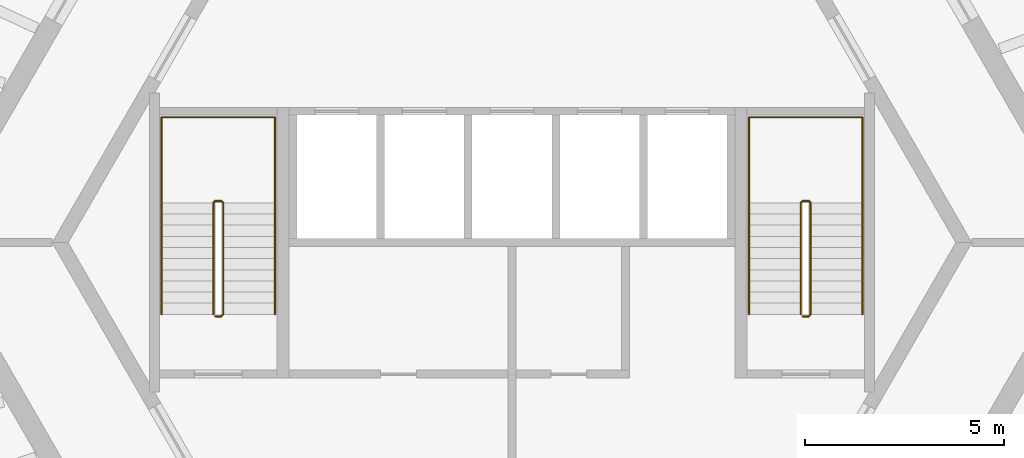
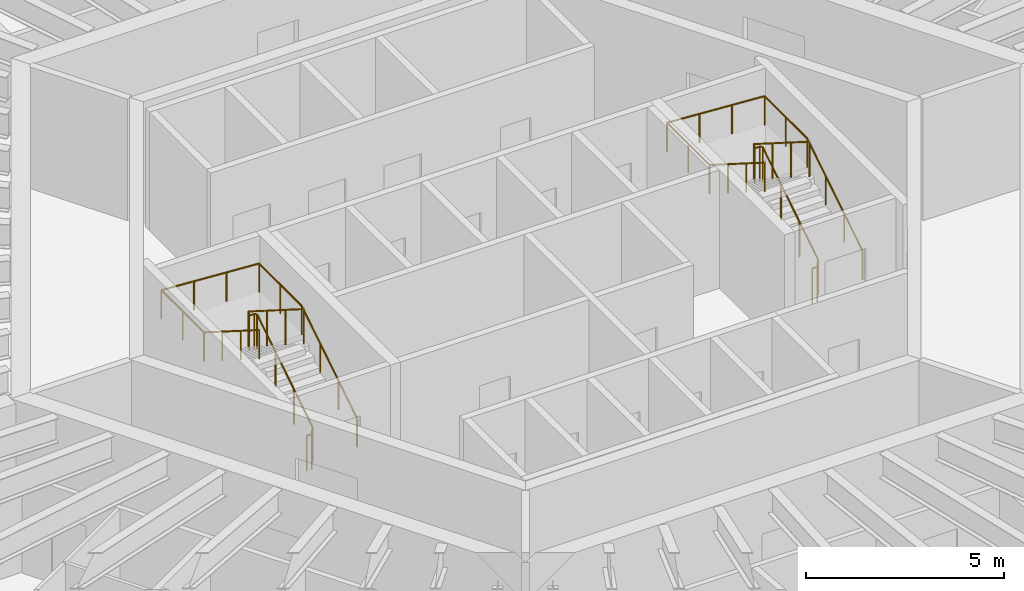
# One storey, part 10 of 10: 4 railings.
"""IFC4 building model written with IfcOpenShell, lengths in metres."""

from ifc_helpers import new_model, si_unit, direction, frame, origin, origin_2d, place, context, subcontext, project, spatial, circle, extrude, material, type_object, element, save


model = new_model("IFC4")

# Units and contexts
model_context = context("Model", 3, precision=1e-05, world=origin(), true_north=direction((0.0, 1.0)))
body_context = subcontext(model_context, "Body", "Model", "MODEL_VIEW")
ifc_project = project(units=[si_unit("LENGTHUNIT", "METRE"), si_unit("AREAUNIT", "SQUARE_METRE"), si_unit("VOLUMEUNIT", "CUBIC_METRE"), si_unit("PLANEANGLEUNIT", "RADIAN"), si_unit("MASSUNIT", "GRAM", prefix="KILO")], contexts=[model_context])

# Site, building, storey
site_placement = place(None, origin())
site = spatial("IfcSite", under=ifc_project, at=site_placement, CompositionType="ELEMENT")
building_placement = place(site_placement, origin())
building = spatial("IfcBuilding", under=site, at=building_placement, Name="Tarnside Tower", CompositionType="ELEMENT")
storey_placement = place(building_placement, frame((0.0, 0.0, 234.60009765625)))
storey = spatial("IfcBuildingStorey", under=building, at=storey_placement, Name="L56", CompositionType="ELEMENT", Elevation=234.60009765625)

# Railings
ifc_material = material(Name="Stainless steel", Category="steel")
railing_type_1 = type_object("IfcRailingType", Name="Stair guard 1100", PredefinedType="GUARDRAIL", material=ifc_material)
railing_1_placement = place(storey_placement, frame((7.300048828125, -1.85009765625, 0.0)))
element("IfcRailing", 1, at=railing_1_placement, inside=storey, type_object=railing_type_1, Name="L56 ST1 stair guard 1", PredefinedType="GUARDRAIL", context=body_context, shape_type="SweptSolid", body=[
    extrude(circle(Radius=0.02392578125, at=origin_2d()), frame((0.0, 0.0, 1.076171875), z_axis=(1.0, 0.0, 0.0), x_axis=(0.0, 1.0, 0.0)), (0.0, 0.0, 1.0), 0.14990234375),
    extrude(circle(Radius=0.02392578125, at=origin_2d()), frame((0.14990234375, 0.0, 1.076171875), z_axis=(0.262233686654, 0.262233686654, 0.928691007369), x_axis=(-0.707106781187, 0.707106781187, 0.0)), (0.0, 0.0, 1.0), 0.19091796875),
    extrude(circle(Radius=0.02392578125, at=origin_2d()), frame((0.199951171875, 0.050048828125, 1.25341796875), z_axis=(0.0, 0.844908973607, 0.534910110503), x_axis=(-1.0, 0.0, 0.0)), (0.0, 0.0, 1.0), 3.31396484375),
    extrude(circle(Radius=0.02392578125, at=origin_2d()), frame((0.199951171875, 2.85009765625, 3.02587890625), z_axis=(-0.707106781187, 0.707106781187, 0.0), x_axis=(-0.707106781187, -0.707106781187, 0.0)), (0.0, 0.0, 1.0), 0.07080078125),
    extrude(circle(Radius=0.02392578125, at=origin_2d()), frame((0.14990234375, 2.900146484375, 3.02587890625), z_axis=(-1.0, 0.0, 0.0), x_axis=(0.0, -1.0, 0.0)), (0.0, 0.0, 1.0), 0.14990234375),
    extrude(circle(Radius=0.02392578125, at=origin_2d()), frame((0.0, 2.900146484375, 3.02587890625), z_axis=(-0.262233686654, -0.262233686654, 0.928691007369), x_axis=(0.707106781187, -0.707106781187, 0.0)), (0.0, 0.0, 1.0), 0.19091796875),
    extrude(circle(Radius=0.02392578125, at=origin_2d()), frame((-0.050048828125, 2.85009765625, 3.203125), z_axis=(0.0, -0.844908973607, 0.534910110503), x_axis=(1.0, 0.0, 0.0)), (0.0, 0.0, 1.0), 3.31396484375),
    extrude(circle(Radius=0.02099609375, at=origin_2d()), origin(), (0.0, 0.0, 1.0), 1.052001953125),
    extrude(circle(Radius=0.02099609375, at=origin_2d()), frame((0.14990234375, 0.0, 0.0)), (0.0, 0.0, 1.0), 1.052001953125),
    extrude(circle(Radius=0.02099609375, at=origin_2d()), frame((0.199951171875, 0.050048828125, 0.17724609375)), (0.0, 0.0, 1.0), 1.052001953125),
    extrude(circle(Radius=0.02099609375, at=origin_2d()), frame((0.199951171875, 0.9833984375, 0.76806640625)), (0.0, 0.0, 1.0), 1.052001953125),
    extrude(circle(Radius=0.02099609375, at=origin_2d()), frame((0.199951171875, 1.916748046875, 1.359130859375)), (0.0, 0.0, 1.0), 1.052001953125),
    extrude(circle(Radius=0.02099609375, at=origin_2d()), frame((0.199951171875, 2.85009765625, 1.949951171875)), (0.0, 0.0, 1.0), 1.052001953125),
    extrude(circle(Radius=0.02099609375, at=origin_2d()), frame((0.14990234375, 2.900146484375, 1.949951171875)), (0.0, 0.0, 1.0), 1.052001953125),
    extrude(circle(Radius=0.02099609375, at=origin_2d()), frame((0.0, 2.900146484375, 1.949951171875)), (0.0, 0.0, 1.0), 1.052001953125),
    extrude(circle(Radius=0.02099609375, at=origin_2d()), frame((-0.050048828125, 2.85009765625, 2.127197265625)), (0.0, 0.0, 1.0), 1.052001953125),
    extrude(circle(Radius=0.02099609375, at=origin_2d()), frame((-0.050048828125, 1.916748046875, 2.718017578125)), (0.0, 0.0, 1.0), 1.052001953125),
    extrude(circle(Radius=0.02099609375, at=origin_2d()), frame((-0.050048828125, 0.9833984375, 3.30908203125)), (0.0, 0.0, 1.0), 1.052001953125),
    extrude(circle(Radius=0.02099609375, at=origin_2d()), frame((-0.050048828125, 0.050048828125, 3.89990234375)), (0.0, 0.0, 1.0), 1.052001953125),
])
railing_2_placement = place(storey_placement, frame((-7.449951171875, -1.85009765625, 0.0)))
element("IfcRailing", 2, at=railing_2_placement, inside=storey, type_object=railing_type_1, Name="L56 ST2 stair guard 1", PredefinedType="GUARDRAIL", context=body_context, shape_type="SweptSolid", body=[
    extrude(circle(Radius=0.02392578125, at=origin_2d()), frame((0.0, 0.0, 1.076171875), z_axis=(1.0, 0.0, 0.0), x_axis=(0.0, 1.0, 0.0)), (0.0, 0.0, 1.0), 0.14990234375),
    extrude(circle(Radius=0.02392578125, at=origin_2d()), frame((0.14990234375, 0.0, 1.076171875), z_axis=(0.262233686654, 0.262233686654, 0.928691007369), x_axis=(-0.707106781187, 0.707106781187, 0.0)), (0.0, 0.0, 1.0), 0.19091796875),
    extrude(circle(Radius=0.02392578125, at=origin_2d()), frame((0.199951171875, 0.050048828125, 1.25341796875), z_axis=(0.0, 0.844908973607, 0.534910110503), x_axis=(-1.0, 0.0, 0.0)), (0.0, 0.0, 1.0), 3.31396484375),
    extrude(circle(Radius=0.02392578125, at=origin_2d()), frame((0.199951171875, 2.85009765625, 3.02587890625), z_axis=(-0.707106781187, 0.707106781187, 0.0), x_axis=(-0.707106781187, -0.707106781187, 0.0)), (0.0, 0.0, 1.0), 0.07080078125),
    extrude(circle(Radius=0.02392578125, at=origin_2d()), frame((0.14990234375, 2.900146484375, 3.02587890625), z_axis=(-1.0, 0.0, 0.0), x_axis=(0.0, -1.0, 0.0)), (0.0, 0.0, 1.0), 0.14990234375),
    extrude(circle(Radius=0.02392578125, at=origin_2d()), frame((0.0, 2.900146484375, 3.02587890625), z_axis=(-0.262233686654, -0.262233686654, 0.928691007369), x_axis=(0.707106781187, -0.707106781187, 0.0)), (0.0, 0.0, 1.0), 0.19091796875),
    extrude(circle(Radius=0.02392578125, at=origin_2d()), frame((-0.050048828125, 2.85009765625, 3.203125), z_axis=(0.0, -0.844908973607, 0.534910110503), x_axis=(1.0, 0.0, 0.0)), (0.0, 0.0, 1.0), 3.31396484375),
    extrude(circle(Radius=0.02099609375, at=origin_2d()), origin(), (0.0, 0.0, 1.0), 1.052001953125),
    extrude(circle(Radius=0.02099609375, at=origin_2d()), frame((0.14990234375, 0.0, 0.0)), (0.0, 0.0, 1.0), 1.052001953125),
    extrude(circle(Radius=0.02099609375, at=origin_2d()), frame((0.199951171875, 0.050048828125, 0.17724609375)), (0.0, 0.0, 1.0), 1.052001953125),
    extrude(circle(Radius=0.02099609375, at=origin_2d()), frame((0.199951171875, 0.9833984375, 0.76806640625)), (0.0, 0.0, 1.0), 1.052001953125),
    extrude(circle(Radius=0.02099609375, at=origin_2d()), frame((0.199951171875, 1.916748046875, 1.359130859375)), (0.0, 0.0, 1.0), 1.052001953125),
    extrude(circle(Radius=0.02099609375, at=origin_2d()), frame((0.199951171875, 2.85009765625, 1.949951171875)), (0.0, 0.0, 1.0), 1.052001953125),
    extrude(circle(Radius=0.02099609375, at=origin_2d()), frame((0.14990234375, 2.900146484375, 1.949951171875)), (0.0, 0.0, 1.0), 1.052001953125),
    extrude(circle(Radius=0.02099609375, at=origin_2d()), frame((0.0, 2.900146484375, 1.949951171875)), (0.0, 0.0, 1.0), 1.052001953125),
    extrude(circle(Radius=0.02099609375, at=origin_2d()), frame((-0.050048828125, 2.85009765625, 2.127197265625)), (0.0, 0.0, 1.0), 1.052001953125),
    extrude(circle(Radius=0.02099609375, at=origin_2d()), frame((-0.050048828125, 1.916748046875, 2.718017578125)), (0.0, 0.0, 1.0), 1.052001953125),
    extrude(circle(Radius=0.02099609375, at=origin_2d()), frame((-0.050048828125, 0.9833984375, 3.30908203125)), (0.0, 0.0, 1.0), 1.052001953125),
    extrude(circle(Radius=0.02099609375, at=origin_2d()), frame((-0.050048828125, 0.050048828125, 3.89990234375)), (0.0, 0.0, 1.0), 1.052001953125),
])
railing_type_2 = type_object("IfcRailingType", Name="Stair handrail 900", PredefinedType="HANDRAIL", material=ifc_material)
railing_3_placement = place(storey_placement, frame((8.800048828125, -1.800048828125, 0.17724609375)))
element("IfcRailing", 3, at=railing_3_placement, inside=storey, type_object=railing_type_2, Name="L56 ST1 stair handrail 1", PredefinedType="HANDRAIL", context=body_context, shape_type="SweptSolid", body=[
    extrude(circle(Radius=0.02392578125, at=origin_2d()), frame((0.0, 0.0, 0.8857421875), z_axis=(0.0, 0.844908973607, 0.534910110503), x_axis=(-1.0, 0.0, 0.0)), (0.0, 0.0, 1.0), 3.31396484375),
    extrude(circle(Radius=0.02392578125, at=origin_2d()), frame((0.0, 2.800048828125, 2.65869140625), z_axis=(0.0, 1.0, 0.0), x_axis=(-1.0, 0.0, 0.0)), (0.0, 0.0, 1.0), 2.14990234375),
    extrude(circle(Radius=0.02392578125, at=origin_2d()), frame((0.0, 4.949951171875, 2.65869140625), z_axis=(-0.998071825391, 0.0, 0.06206956872), x_axis=(0.0, -1.0, 0.0)), (0.0, 0.0, 1.0), 2.855712890625),
    extrude(circle(Radius=0.02392578125, at=origin_2d()), frame((-2.85009765625, 4.949951171875, 2.8359375), z_axis=(0.0, -1.0, 0.0), x_axis=(1.0, 0.0, 0.0)), (0.0, 0.0, 1.0), 2.14990234375),
    extrude(circle(Radius=0.02392578125, at=origin_2d()), frame((-2.85009765625, 2.800048828125, 2.8359375), z_axis=(0.0, -0.844908973607, 0.534910110503), x_axis=(1.0, 0.0, 0.0)), (0.0, 0.0, 1.0), 3.31396484375),
    extrude(circle(Radius=0.02099609375, at=origin_2d()), origin(), (0.0, 0.0, 1.0), 0.86181640625),
    extrude(circle(Radius=0.02099609375, at=origin_2d()), frame((0.0, 0.933349609375, 0.5908203125)), (0.0, 0.0, 1.0), 0.86181640625),
    extrude(circle(Radius=0.02099609375, at=origin_2d()), frame((0.0, 1.86669921875, 1.181884765625)), (0.0, 0.0, 1.0), 0.86181640625),
    extrude(circle(Radius=0.02099609375, at=origin_2d()), frame((0.0, 2.800048828125, 1.772705078125)), (0.0, 0.0, 1.0), 0.86181640625),
    extrude(circle(Radius=0.02099609375, at=origin_2d()), frame((0.0, 3.875, 1.772705078125)), (0.0, 0.0, 1.0), 0.86181640625),
    extrude(circle(Radius=0.02099609375, at=origin_2d()), frame((0.0, 4.949951171875, 1.772705078125)), (0.0, 0.0, 1.0), 0.86181640625),
    extrude(circle(Radius=0.02099609375, at=origin_2d()), frame((-0.949951171875, 4.949951171875, 1.831787109375)), (0.0, 0.0, 1.0), 0.86181640625),
    extrude(circle(Radius=0.02099609375, at=origin_2d()), frame((-1.900146484375, 4.949951171875, 1.890869140625)), (0.0, 0.0, 1.0), 0.86181640625),
    extrude(circle(Radius=0.02099609375, at=origin_2d()), frame((-2.85009765625, 4.949951171875, 1.949951171875)), (0.0, 0.0, 1.0), 0.86181640625),
    extrude(circle(Radius=0.02099609375, at=origin_2d()), frame((-2.85009765625, 3.875, 1.949951171875)), (0.0, 0.0, 1.0), 0.86181640625),
    extrude(circle(Radius=0.02099609375, at=origin_2d()), frame((-2.85009765625, 2.800048828125, 1.949951171875)), (0.0, 0.0, 1.0), 0.86181640625),
    extrude(circle(Radius=0.02099609375, at=origin_2d()), frame((-2.85009765625, 1.86669921875, 2.540771484375)), (0.0, 0.0, 1.0), 0.86181640625),
    extrude(circle(Radius=0.02099609375, at=origin_2d()), frame((-2.85009765625, 0.933349609375, 3.1318359375)), (0.0, 0.0, 1.0), 0.86181640625),
    extrude(circle(Radius=0.02099609375, at=origin_2d()), frame((-2.85009765625, 0.0, 3.72265625)), (0.0, 0.0, 1.0), 0.86181640625),
])
railing_4_placement = place(storey_placement, frame((-5.949951171875, -1.800048828125, 0.17724609375)))
element("IfcRailing", 4, at=railing_4_placement, inside=storey, type_object=railing_type_2, Name="L56 ST2 stair handrail 1", PredefinedType="HANDRAIL", context=body_context, shape_type="SweptSolid", body=[
    extrude(circle(Radius=0.02392578125, at=origin_2d()), frame((0.0, 0.0, 0.8857421875), z_axis=(0.0, 0.844908973607, 0.534910110503), x_axis=(-1.0, 0.0, 0.0)), (0.0, 0.0, 1.0), 3.31396484375),
    extrude(circle(Radius=0.02392578125, at=origin_2d()), frame((0.0, 2.800048828125, 2.65869140625), z_axis=(0.0, 1.0, 0.0), x_axis=(-1.0, 0.0, 0.0)), (0.0, 0.0, 1.0), 2.14990234375),
    extrude(circle(Radius=0.02392578125, at=origin_2d()), frame((0.0, 4.949951171875, 2.65869140625), z_axis=(-0.998071825391, 0.0, 0.06206956872), x_axis=(0.0, -1.0, 0.0)), (0.0, 0.0, 1.0), 2.855712890625),
    extrude(circle(Radius=0.02392578125, at=origin_2d()), frame((-2.85009765625, 4.949951171875, 2.8359375), z_axis=(0.0, -1.0, 0.0), x_axis=(1.0, 0.0, 0.0)), (0.0, 0.0, 1.0), 2.14990234375),
    extrude(circle(Radius=0.02392578125, at=origin_2d()), frame((-2.85009765625, 2.800048828125, 2.8359375), z_axis=(0.0, -0.844908973607, 0.534910110503), x_axis=(1.0, 0.0, 0.0)), (0.0, 0.0, 1.0), 3.31396484375),
    extrude(circle(Radius=0.02099609375, at=origin_2d()), origin(), (0.0, 0.0, 1.0), 0.86181640625),
    extrude(circle(Radius=0.02099609375, at=origin_2d()), frame((0.0, 0.933349609375, 0.5908203125)), (0.0, 0.0, 1.0), 0.86181640625),
    extrude(circle(Radius=0.02099609375, at=origin_2d()), frame((0.0, 1.86669921875, 1.181884765625)), (0.0, 0.0, 1.0), 0.86181640625),
    extrude(circle(Radius=0.02099609375, at=origin_2d()), frame((0.0, 2.800048828125, 1.772705078125)), (0.0, 0.0, 1.0), 0.86181640625),
    extrude(circle(Radius=0.02099609375, at=origin_2d()), frame((0.0, 3.875, 1.772705078125)), (0.0, 0.0, 1.0), 0.86181640625),
    extrude(circle(Radius=0.02099609375, at=origin_2d()), frame((0.0, 4.949951171875, 1.772705078125)), (0.0, 0.0, 1.0), 0.86181640625),
    extrude(circle(Radius=0.02099609375, at=origin_2d()), frame((-0.949951171875, 4.949951171875, 1.831787109375)), (0.0, 0.0, 1.0), 0.86181640625),
    extrude(circle(Radius=0.02099609375, at=origin_2d()), frame((-1.900146484375, 4.949951171875, 1.890869140625)), (0.0, 0.0, 1.0), 0.86181640625),
    extrude(circle(Radius=0.02099609375, at=origin_2d()), frame((-2.85009765625, 4.949951171875, 1.949951171875)), (0.0, 0.0, 1.0), 0.86181640625),
    extrude(circle(Radius=0.02099609375, at=origin_2d()), frame((-2.85009765625, 3.875, 1.949951171875)), (0.0, 0.0, 1.0), 0.86181640625),
    extrude(circle(Radius=0.02099609375, at=origin_2d()), frame((-2.85009765625, 2.800048828125, 1.949951171875)), (0.0, 0.0, 1.0), 0.86181640625),
    extrude(circle(Radius=0.02099609375, at=origin_2d()), frame((-2.85009765625, 1.86669921875, 2.540771484375)), (0.0, 0.0, 1.0), 0.86181640625),
    extrude(circle(Radius=0.02099609375, at=origin_2d()), frame((-2.85009765625, 0.933349609375, 3.1318359375)), (0.0, 0.0, 1.0), 0.86181640625),
    extrude(circle(Radius=0.02099609375, at=origin_2d()), frame((-2.85009765625, 0.0, 3.72265625)), (0.0, 0.0, 1.0), 0.86181640625),
])

save(model, "model.ifc")
